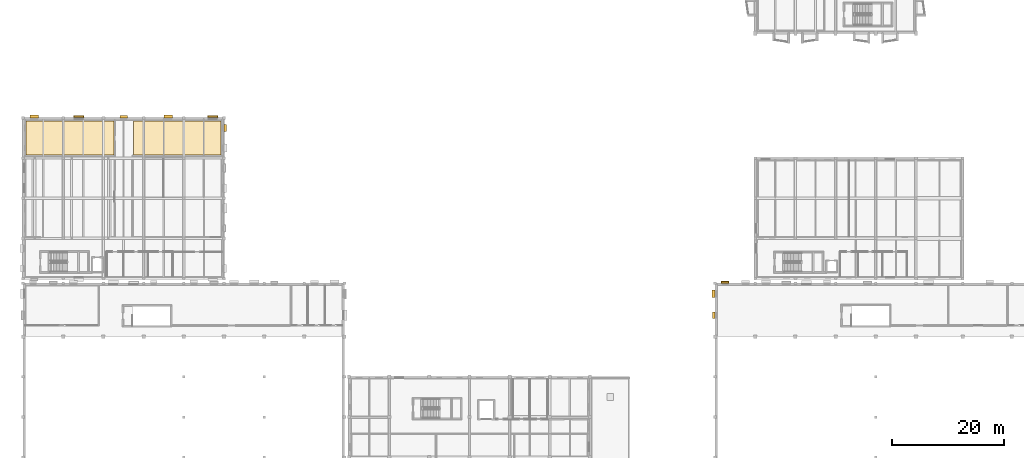
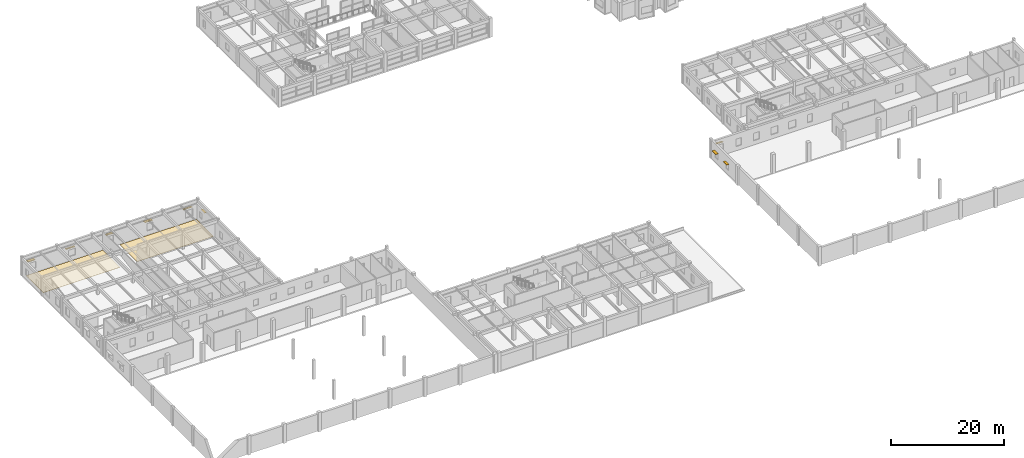
# One storey, part 44 of 49: 9 shading devices, 2 coverings.
"""IFC4 building model written with IfcOpenShell, lengths in metres."""

from ifc_helpers import new_model, si_unit, direction, frame, origin, origin_2d, place, context, subcontext, project, spatial, polyline, rectangle, outline, extrude, material, layer, layer_set, type_object, element, save


model = new_model("IFC4")

# Units and contexts
model_context = context("Model", 3, precision=1e-05, world=origin(), true_north=direction((0.0, 1.0)))
body_context = subcontext(model_context, "Body", "Model", "MODEL_VIEW")
ifc_project = project(units=[si_unit("LENGTHUNIT", "METRE"), si_unit("AREAUNIT", "SQUARE_METRE"), si_unit("VOLUMEUNIT", "CUBIC_METRE"), si_unit("PLANEANGLEUNIT", "RADIAN"), si_unit("MASSUNIT", "GRAM", prefix="KILO")], contexts=[model_context])

# Site, building, storey
site_placement = place(None, origin())
site = spatial("IfcSite", under=ifc_project, at=site_placement, CompositionType="ELEMENT")
building_placement = place(site_placement, origin())
building = spatial("IfcBuilding", under=site, at=building_placement, Name="Bramveld Media Centre", CompositionType="ELEMENT")
storey_placement = place(building_placement, frame((0.0, 0.0, 9.60009765625)))
storey = spatial("IfcBuildingStorey", under=building, at=storey_placement, Name="L02", CompositionType="ELEMENT", Elevation=9.60009765625)

# Coverings
ifc_material_1 = material(Name="Honed Belgian bluestone (petit granit) public concourse flooring", Category="masonry")
ifc_layer_1 = layer(ifc_material_1, 0.050048828125)
ifc_layer_set_1 = layer_set([ifc_layer_1], Name="Honed Belgian bluestone (petit granit) public concourse flooring")
covering_type_1 = type_object("IfcCoveringType", Name="COV-FLOOR-02", PredefinedType="FLOORING", material=ifc_layer_set_1)
covering_1_placement = place(storey_placement, origin())
element("IfcCovering", 1, at=covering_1_placement, inside=storey, type_object=covering_type_1, Name="Festival Press Discussion Room finish flooring", PredefinedType="FLOORING", context=body_context, shape_type="SweptSolid", body=[
    extrude(outline(polyline([(0.550048828125, 61.35009765625), (16.25, 61.35009765625), (16.25, 67.449951171875), (0.550048828125, 67.449951171875), (0.550048828125, 61.35009765625)])), origin(), (0.0, 0.0, 1.0), 0.0498046875),
])
ifc_material_2 = material(Name="Anti-static acoustic linoleum editing & vault flooring")
ifc_layer_2 = layer(ifc_material_2, 0.0400390625)
ifc_layer_set_2 = layer_set([ifc_layer_2], Name="Anti-static acoustic linoleum editing & vault flooring")
covering_type_2 = type_object("IfcCoveringType", Name="COV-FLOOR-03", PredefinedType="FLOORING", material=ifc_layer_set_2)
covering_2_placement = place(storey_placement, origin())
element("IfcCovering", 2, at=covering_2_placement, inside=storey, type_object=covering_type_2, Name="Arthouse Pre-Function Circulation Lobby finish flooring", PredefinedType="FLOORING", context=body_context, shape_type="SweptSolid", body=[
    extrude(outline(polyline([(19.75, 61.35009765625), (35.449951171875, 61.35009765625), (35.449951171875, 67.449951171875), (19.75, 67.449951171875), (19.75, 61.35009765625)])), origin(), (0.0, 0.0, 1.0), 0.039794921875),
])

# Shading devices
ifc_material_3 = material(Name="Anodized bronze extruded aluminium solar shading fin", Category="aluminium")
shading_device_type_1 = type_object("IfcShadingDeviceType", Name="SHD-BRISE-350", PredefinedType="JALOUSIE", material=ifc_material_3)
shading_device_1_placement = place(storey_placement, frame((125.823486328125, 38.574951171875, 2.509765625), z_axis=(0.0, 0.0, 1.0), x_axis=(1.0, 0.0, 0.0)))
element("IfcShadingDevice", 3, at=shading_device_1_placement, inside=storey, type_object=shading_device_type_1, Name="Bronze solar shading fin 33", PredefinedType="JALOUSIE", context=body_context, shape_type="SweptSolid", body=[
    extrude(rectangle(XDim=1.35009765625, YDim=0.35009765625, at=origin_2d()), origin(), (0.0, 0.0, 1.0), 0.06005859375),
])
shading_device_2_placement = place(storey_placement, frame((10.0, 68.175048828125, 2.35986328125), z_axis=(0.0, 0.0, 1.0), x_axis=(1.0, 0.0, 0.0)))
element("IfcShadingDevice", 4, at=shading_device_2_placement, inside=storey, type_object=shading_device_type_1, Name="Bronze solar shading fin 135", PredefinedType="JALOUSIE", context=body_context, shape_type="SweptSolid", body=[
    extrude(rectangle(XDim=1.75, YDim=0.35009765625, at=origin_2d()), origin(), (0.0, 0.0, 1.0), 0.06005859375),
])
shading_device_3_placement = place(storey_placement, frame((34.0, 68.175048828125, 2.509765625), z_axis=(0.0, 0.0, 1.0), x_axis=(1.0, 0.0, 0.0)))
element("IfcShadingDevice", 5, at=shading_device_3_placement, inside=storey, type_object=shading_device_type_1, Name="Bronze solar shading fin 138", PredefinedType="JALOUSIE", context=body_context, shape_type="SweptSolid", body=[
    extrude(rectangle(XDim=1.800048828125, YDim=0.35009765625, at=origin_2d()), origin(), (0.0, 0.0, 1.0), 0.06005859375),
])
ifc_material_4 = material(Name="Anodized bronze extruded aluminium solar shading fin", Category="aluminium")
shading_device_type_2 = type_object("IfcShadingDeviceType", Name="SHD-BRISE-450", PredefinedType="JALOUSIE", material=ifc_material_4)
shading_device_4_placement = place(storey_placement, frame((123.77490234375, 32.639892578125, 2.35986328125), z_axis=(0.0, 0.0, 1.0), x_axis=(1.0, 0.0, 0.0)))
element("IfcShadingDevice", 6, at=shading_device_4_placement, inside=storey, type_object=shading_device_type_2, Name="Bronze solar shading fin 43", PredefinedType="JALOUSIE", context=body_context, shape_type="SweptSolid", body=[
    extrude(rectangle(XDim=0.449951171875, YDim=1.25, at=origin_2d()), origin(), (0.0, 0.0, 1.0), 0.06005859375),
])
shading_device_5_placement = place(storey_placement, frame((36.22509765625, 66.199951171875, 2.259765625), z_axis=(0.0, 0.0, 1.0), x_axis=(1.0, 0.0, 0.0)))
element("IfcShadingDevice", 7, at=shading_device_5_placement, inside=storey, type_object=shading_device_type_2, Name="Bronze solar shading fin 127", PredefinedType="JALOUSIE", context=body_context, shape_type="SweptSolid", body=[
    extrude(rectangle(XDim=0.449951171875, YDim=1.300048828125, at=origin_2d()), origin(), (0.0, 0.0, 1.0), 0.06005859375),
])
shading_device_6_placement = place(storey_placement, frame((18.0, 68.22509765625, 2.509765625), z_axis=(0.0, 0.0, 1.0), x_axis=(1.0, 0.0, 0.0)))
element("IfcShadingDevice", 8, at=shading_device_6_placement, inside=storey, type_object=shading_device_type_2, Name="Bronze solar shading fin 136", PredefinedType="JALOUSIE", context=body_context, shape_type="SweptSolid", body=[
    extrude(rectangle(XDim=1.35009765625, YDim=0.449951171875, at=origin_2d()), origin(), (0.0, 0.0, 1.0), 0.06005859375),
])
ifc_material_5 = material(Name="Anodized bronze extruded aluminium solar shading fin", Category="aluminium")
shading_device_type_3 = type_object("IfcShadingDeviceType", Name="SHD-BRISE-550", PredefinedType="JALOUSIE", material=ifc_material_5)
shading_device_7_placement = place(storey_placement, frame((123.72509765625, 36.47998046875, 2.35986328125), z_axis=(0.0, 0.0, 1.0), x_axis=(1.0, 0.0, 0.0)))
element("IfcShadingDevice", 9, at=shading_device_7_placement, inside=storey, type_object=shading_device_type_3, Name="Bronze solar shading fin 44", PredefinedType="JALOUSIE", context=body_context, shape_type="SweptSolid", body=[
    extrude(rectangle(XDim=0.550048828125, YDim=1.35009765625, at=origin_2d()), origin(), (0.0, 0.0, 1.0), 0.06005859375),
])
for number, where, z_axis, x_axis, name in (
    (10, (2.0, 68.27490234375, 2.35986328125), (0.0, 0.0, 1.0), (1.0, 0.0, 0.0), "Bronze solar shading fin 134"),
    (11, (26.0, 68.27490234375, 2.509765625), (0.0, 0.0, 1.0), (1.0, 0.0, 0.0), "Bronze solar shading fin 137"),
):
    element("IfcShadingDevice", number, at=place(storey_placement, frame(where, z_axis=z_axis, x_axis=x_axis)), inside=storey, type_object=shading_device_type_3, Name=name, PredefinedType="JALOUSIE", context=body_context, shape_type="SweptSolid", body=[
        extrude(rectangle(XDim=1.550048828125, YDim=0.550048828125, at=origin_2d()), origin(), (0.0, 0.0, 1.0), 0.06005859375),
    ])

save(model, "model.ifc")
